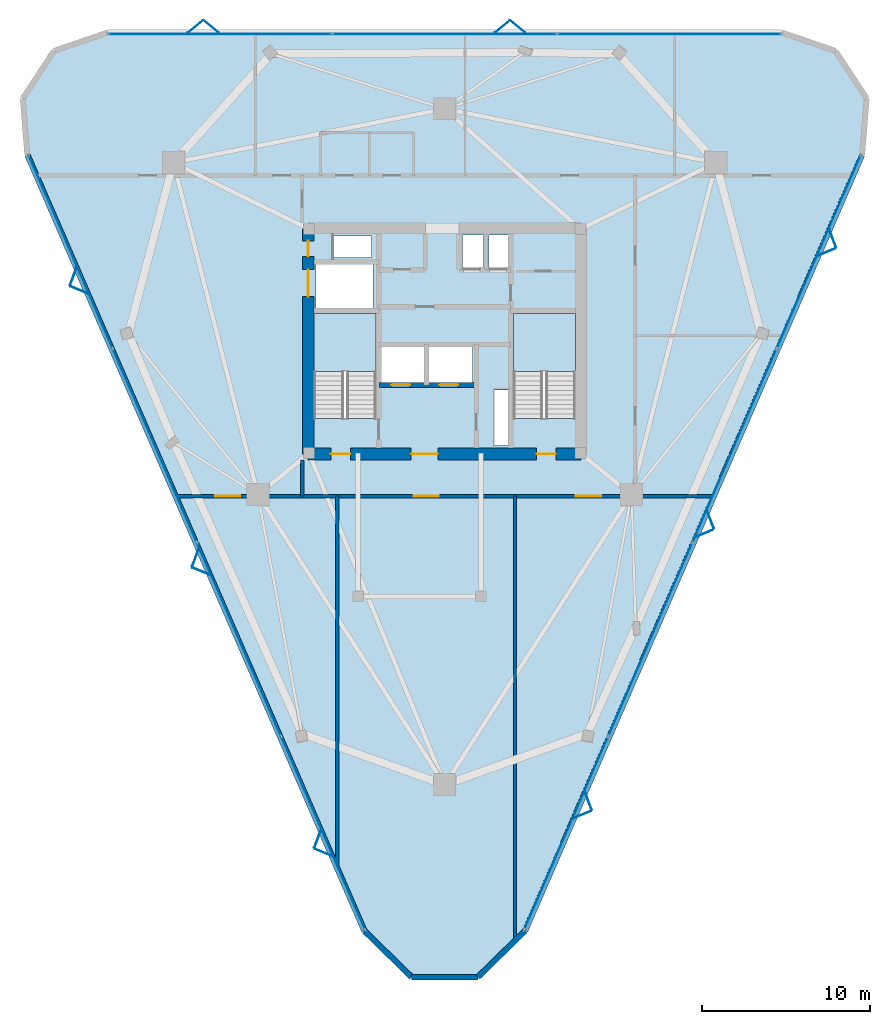
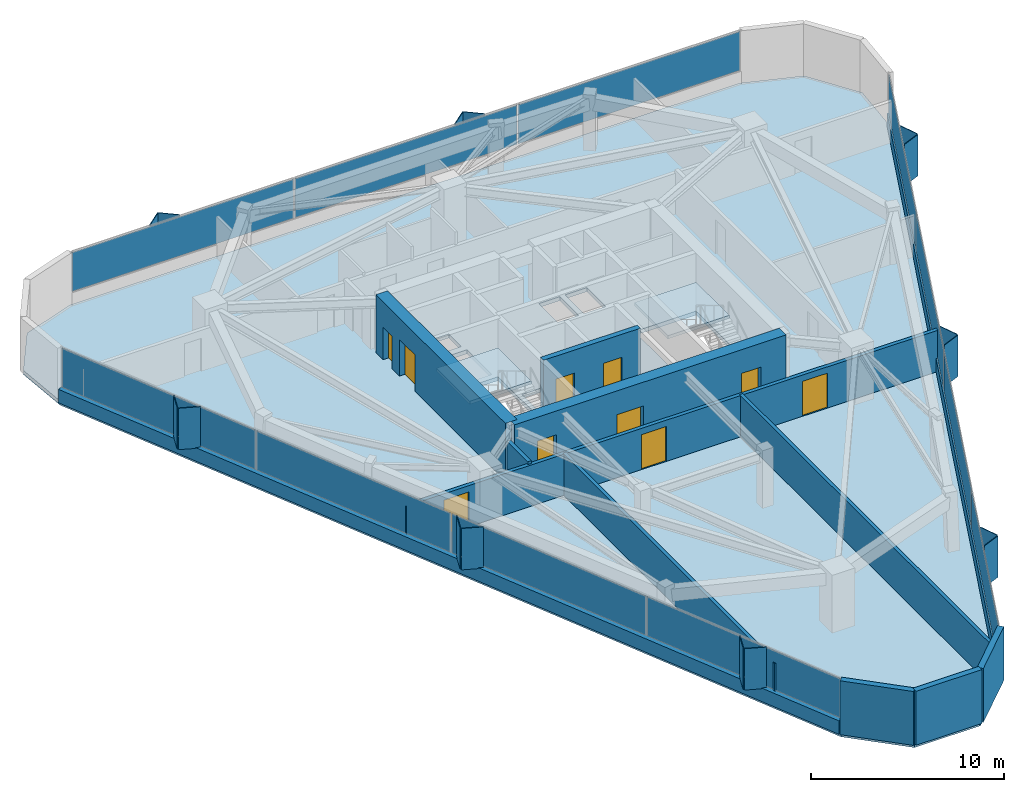
# One storey, part 9 of 12: 27 plates, 12 walls, 10 doors, 3 slabs, 10 openings, 5 elements without a shape of their own.
"""IFC4 building model written with IfcOpenShell, lengths in metres."""

from ifc_helpers import new_model, si_unit, direction, frame, frame_2d, origin, origin_2d, place, context, subcontext, project, spatial, polyline, rectangle, outline, extrude, material, layer, layer_set, type_object, element, fill, aggregate, save


model = new_model("IFC4")

# Units and contexts
model_context = context("Model", 3, precision=1e-05, world=origin(), true_north=direction((0.0, 1.0)))
body_context = subcontext(model_context, "Body", "Model", "MODEL_VIEW")
ifc_project = project(units=[si_unit("LENGTHUNIT", "METRE"), si_unit("AREAUNIT", "SQUARE_METRE"), si_unit("VOLUMEUNIT", "CUBIC_METRE"), si_unit("PLANEANGLEUNIT", "RADIAN"), si_unit("MASSUNIT", "GRAM", prefix="KILO")], contexts=[model_context])

# Site, building, storey
site_placement = place(None, origin())
site = spatial("IfcSite", under=ifc_project, at=site_placement, CompositionType="ELEMENT")
building_placement = place(site_placement, origin())
building = spatial("IfcBuilding", under=site, at=building_placement, Name="Talyreon Biosciences Tower", CompositionType="ELEMENT")
storey_placement = place(building_placement, frame((0.0, 0.0, 215.89990234375)))
storey = spatial("IfcBuildingStorey", under=building, at=storey_placement, Name="L57", CompositionType="ELEMENT", Elevation=215.89990234375)

# Curtain wall, plates
ifc_material_1 = material(Name="Thermally broken aluminium and low-E glazing", Category="aluminium")
ifc_layer_1 = layer(ifc_material_1, 0.179931640625)
ifc_layer_set_1 = layer_set([ifc_layer_1], Name="Thermally broken aluminium and low-E glazing")
curtain_wall_type = type_object("IfcCurtainWallType", Name="CurtainWall_Zone4Optical", PredefinedType="NOTDEFINED", material=ifc_layer_set_1)
curtain_wall_1_placement = place(storey_placement, origin())
curtain_wall_1 = element("IfcCurtainWall", 1, at=curtain_wall_1_placement, inside=storey, type_object=curtain_wall_type, Name="L57 Unitised Curtain Wall FCW-L57-00", PredefinedType="NOTDEFINED")
ifc_material_2 = material(Name="Triple-silver low-E insulated glazing", Category="glass")
ifc_layer_2 = layer(ifc_material_2, 0.031982421875)
ifc_layer_set_2 = layer_set([ifc_layer_2], Name="Triple-silver low-E insulated glazing")
plate_type_1 = type_object("IfcPlateType", Name="CWGlazingPanel_32", PredefinedType="CURTAIN_PANEL", material=ifc_layer_set_2)
plate_1_placement = place(storey_placement, frame((58.79736328125, 38.801513671875, 0.875), z_axis=(0.0, 0.0, 1.0), x_axis=(-0.398376473835, 0.917221993355, 0.0)))
plate_1 = element("IfcPlate", 2, at=plate_1_placement, type_object=plate_type_1, Name="CW5 panel 1.1", PredefinedType="CURTAIN_PANEL", context=body_context, shape_type="SweptSolid", body=[
    extrude(rectangle(XDim=12.453369140625, YDim=0.031982421875, at=origin_2d()), origin(), (0.0, 0.0, 1.0), 2.4599609375),
])
plate_2_placement = place(storey_placement, frame((53.8037109375, 50.298583984375, 0.875), z_axis=(0.0, 0.0, 1.0), x_axis=(-0.398376473835, 0.917221993355, 0.0)))
plate_2 = element("IfcPlate", 3, at=plate_2_placement, type_object=plate_type_1, Name="CW5 panel 2.1", PredefinedType="CURTAIN_PANEL", context=body_context, shape_type="SweptSolid", body=[
    extrude(rectangle(XDim=12.48583984375, YDim=0.031982421875, at=origin_2d()), origin(), (0.0, 0.0, 1.0), 2.4599609375),
])
plate_3_placement = place(storey_placement, frame((48.8037109375, 61.810791015625, 0.875), z_axis=(0.0, 0.0, 1.0), x_axis=(-0.398376473835, 0.917221993355, 0.0)))
plate_3 = element("IfcPlate", 4, at=plate_3_placement, type_object=plate_type_1, Name="CW5 panel 3.1", PredefinedType="CURTAIN_PANEL", context=body_context, shape_type="SweptSolid", body=[
    extrude(rectangle(XDim=12.48583984375, YDim=0.031982421875, at=origin_2d()), origin(), (0.0, 0.0, 1.0), 2.4599609375),
])
plate_4_placement = place(storey_placement, frame((43.810302734375, 73.307861328125, 0.875), z_axis=(0.0, 0.0, 1.0), x_axis=(-0.398376473835, 0.917221993355, 0.0)))
plate_4 = element("IfcPlate", 5, at=plate_4_placement, type_object=plate_type_1, Name="CW5 panel 4.1", PredefinedType="CURTAIN_PANEL", context=body_context, shape_type="SweptSolid", body=[
    extrude(rectangle(XDim=12.453369140625, YDim=0.031982421875, at=origin_2d()), origin(), (0.0, 0.0, 1.0), 2.4599609375),
])
aggregate(curtain_wall_1, [plate_1, plate_2, plate_3, plate_4])

curtain_wall_2_placement = place(storey_placement, origin())
curtain_wall_2 = element("IfcCurtainWall", 6, at=curtain_wall_2_placement, inside=storey, type_object=curtain_wall_type, Name="L57 Unitised Curtain Wall FCW-L57-04", PredefinedType="NOTDEFINED")
plate_5_placement = place(storey_placement, frame((52.682861328125, 86.23828125, 0.875), z_axis=(0.0, 0.0, 1.0), x_axis=(1.0, 0.0, 0.0)))
plate_5 = element("IfcPlate", 7, at=plate_5_placement, type_object=plate_type_1, Name="CW5 panel 1.1", PredefinedType="CURTAIN_PANEL", context=body_context, shape_type="SweptSolid", body=[
    extrude(rectangle(XDim=13.23583984375, YDim=0.031982421875, at=origin_2d()), origin(), (0.0, 0.0, 1.0), 2.4599609375),
])
plate_6_placement = place(storey_placement, frame((66.0, 86.23828125, 0.875), z_axis=(0.0, 0.0, 1.0), x_axis=(1.0, 0.0, 0.0)))
plate_6 = element("IfcPlate", 8, at=plate_6_placement, type_object=plate_type_1, Name="CW5 panel 2.1", PredefinedType="CURTAIN_PANEL", context=body_context, shape_type="SweptSolid", body=[
    extrude(rectangle(XDim=13.268310546875, YDim=0.031982421875, at=origin_2d()), origin(), (0.0, 0.0, 1.0), 2.4599609375),
])
plate_7_placement = place(storey_placement, frame((79.317138671875, 86.23828125, 0.875), z_axis=(0.0, 0.0, 1.0), x_axis=(1.0, 0.0, 0.0)))
plate_7 = element("IfcPlate", 9, at=plate_7_placement, type_object=plate_type_1, Name="CW5 panel 3.1", PredefinedType="CURTAIN_PANEL", context=body_context, shape_type="SweptSolid", body=[
    extrude(rectangle(XDim=13.23583984375, YDim=0.031982421875, at=origin_2d()), origin(), (0.0, 0.0, 1.0), 2.4599609375),
])
aggregate(curtain_wall_2, [plate_5, plate_6, plate_7])

curtain_wall_3_placement = place(storey_placement, origin())
curtain_wall_3 = element("IfcCurtainWall", 10, at=curtain_wall_3_placement, inside=storey, type_object=curtain_wall_type, Name="L57 Unitised Curtain Wall FCW-L57-08", PredefinedType="NOTDEFINED")
plate_8_placement = place(storey_placement, frame((88.189697265625, 73.307861328125, 0.875), z_axis=(0.0, 0.0, 1.0), x_axis=(-0.398376473835, -0.917221993355, 0.0)))
plate_8 = element("IfcPlate", 11, at=plate_8_placement, type_object=plate_type_1, Name="CW5 panel 1.1", PredefinedType="CURTAIN_PANEL", context=body_context, shape_type="SweptSolid", body=[
    extrude(rectangle(XDim=12.453369140625, YDim=0.031982421875, at=origin_2d()), origin(), (0.0, 0.0, 1.0), 2.4599609375),
])
plate_9_placement = place(storey_placement, frame((83.1962890625, 61.810791015625, 0.875), z_axis=(0.0, 0.0, 1.0), x_axis=(-0.398376473835, -0.917221993355, 0.0)))
plate_9 = element("IfcPlate", 12, at=plate_9_placement, type_object=plate_type_1, Name="CW5 panel 2.1", PredefinedType="CURTAIN_PANEL", context=body_context, shape_type="SweptSolid", body=[
    extrude(rectangle(XDim=12.48583984375, YDim=0.031982421875, at=origin_2d()), origin(), (0.0, 0.0, 1.0), 2.4599609375),
])
plate_10_placement = place(storey_placement, frame((78.1962890625, 50.298583984375, 0.875), z_axis=(0.0, 0.0, 1.0), x_axis=(-0.398376473835, -0.917221993355, 0.0)))
plate_10 = element("IfcPlate", 13, at=plate_10_placement, type_object=plate_type_1, Name="CW5 panel 3.1", PredefinedType="CURTAIN_PANEL", context=body_context, shape_type="SweptSolid", body=[
    extrude(rectangle(XDim=12.48583984375, YDim=0.031982421875, at=origin_2d()), origin(), (0.0, 0.0, 1.0), 2.4599609375),
])
plate_11_placement = place(storey_placement, frame((73.20263671875, 38.801513671875, 0.875), z_axis=(0.0, 0.0, 1.0), x_axis=(-0.398376473835, -0.917221993355, 0.0)))
plate_11 = element("IfcPlate", 14, at=plate_11_placement, type_object=plate_type_1, Name="CW5 panel 4.1", PredefinedType="CURTAIN_PANEL", context=body_context, shape_type="SweptSolid", body=[
    extrude(rectangle(XDim=12.453369140625, YDim=0.031982421875, at=origin_2d()), origin(), (0.0, 0.0, 1.0), 2.4599609375),
])
aggregate(curtain_wall_3, [plate_8, plate_9, plate_10, plate_11])

# Slab
ifc_material_3 = material(Name="Concrete C40/50", Category="concrete")
ifc_layer_3 = layer(ifc_material_3, 0.25)
ifc_layer_set_3 = layer_set([ifc_layer_3], Name="Concrete C40/50")
slab_type_1 = type_object("IfcSlabType", Name="DryLabFloorSlab_250", PredefinedType="FLOOR", material=ifc_layer_set_3)
slab_1_placement = place(storey_placement, frame((0.0, 0.0, -0.25)))
element("IfcSlab", 15, at=slab_1_placement, inside=storey, type_object=slab_type_1, Name="L57 Structural Floor Slab", PredefinedType="FLOOR", context=body_context, shape_type="SweptSolid", body=[
    extrude(outline(polyline([(61.23046875, 32.998779296875), (41.23046875, 79.046875), (40.962158203125, 82.406982421875), (42.81103515625, 85.225830078125), (46.0, 86.318359375), (86.0, 86.318359375), (89.18896484375, 85.225830078125), (91.037841796875, 82.406982421875), (90.76953125, 79.046875), (70.76953125, 32.998779296875), (67.962646484375, 30.2548828125), (64.037353515625, 30.2548828125), (61.23046875, 32.998779296875)]), holes=[polyline([(69.820068359375, 65.10009765625), (69.820068359375, 61.800048828125), (68.9599609375, 61.800048828125), (68.9599609375, 65.10009765625), (69.820068359375, 65.10009765625)]), polyline([(61.929931640625, 69.64990234375), (61.929931640625, 63.407958984375), (58.25, 63.407958984375), (58.25, 69.64990234375), (61.929931640625, 69.64990234375)]), polyline([(73.75, 69.64990234375), (73.75, 63.407958984375), (70.070068359375, 63.407958984375), (70.070068359375, 69.64990234375), (73.75, 69.64990234375)]), polyline([(64.800048828125, 67.64990234375), (64.800048828125, 65.550048828125), (62.199951171875, 65.550048828125), (62.199951171875, 67.64990234375), (64.800048828125, 67.64990234375)]), polyline([(67.64990234375, 67.64990234375), (67.64990234375, 65.550048828125), (65.050048828125, 65.550048828125), (65.050048828125, 67.64990234375), (67.64990234375, 67.64990234375)]), polyline([(61.75, 72.550048828125), (61.75, 69.97998046875), (58.35009765625, 69.97998046875), (58.35009765625, 72.550048828125), (61.75, 72.550048828125)]), polyline([(68.300048828125, 74.300048828125), (68.300048828125, 72.35009765625), (67.050048828125, 72.35009765625), (67.050048828125, 74.300048828125), (68.300048828125, 74.300048828125)]), polyline([(69.919921875, 72.35009765625), (68.6201171875, 72.35009765625), (68.6201171875, 74.300048828125), (69.919921875, 74.300048828125), (69.919921875, 72.35009765625)]), polyline([(61.64990234375, 72.9599609375), (59.39990234375, 72.9599609375), (59.39990234375, 74.25), (61.64990234375, 74.25), (61.64990234375, 72.9599609375)])]), origin(), (0.0, 0.0, 1.0), 0.25),
])

# Plates
ifc_material_4 = material(Name="Ivory GFRC sunshade panel", Category="concrete")
ifc_layer_4 = layer(ifc_material_4, 0.044921875)
ifc_layer_set_4 = layer_set([ifc_layer_4], Name="Ivory GFRC sunshade panel")
plate_type_2 = type_object("IfcPlateType", Name="FoldedVSunshade_NorthFace_SUNSHADE", PredefinedType="USERDEFINED", material=ifc_layer_set_4)
for number, where, z_axis, x_axis, name in (
    (16, (51.219970703125, 86.678466796875, 0.7900390625), (0.0, 0.0, 1.0), (0.771624583388, 0.636078220278, 0.0), "L57 Folded V-Sunshade Panel 04.01L"),
    (17, (52.1201171875, 86.678466796875, 0.7900390625), (0.0, 0.0, 1.0), (0.771624583388, -0.636078220278, 0.0), "L57 Folded V-Sunshade Panel 04.01R"),
    (18, (69.419921875, 86.678466796875, 0.7900390625), (0.0, 0.0, 1.0), (0.771624583388, 0.636078220278, 0.0), "L57 Folded V-Sunshade Panel 04.02L"),
    (19, (70.320068359375, 86.678466796875, 0.7900390625), (0.0, 0.0, 1.0), (0.771624583388, -0.636078220278, 0.0), "L57 Folded V-Sunshade Panel 04.02R"),
):
    element("IfcPlate", number, at=place(storey_placement, frame(where, z_axis=z_axis, x_axis=x_axis)), inside=storey, type_object=plate_type_2, Name=name, ObjectType="SUNSHADE", PredefinedType="USERDEFINED", context=body_context, shape_type="SweptSolid", body=[
        extrude(rectangle(XDim=1.14990234375, YDim=0.044921875, at=origin_2d()), origin(), (0.0, 0.0, 1.0), 2.610107421875),
    ])
ifc_layer_5 = layer(ifc_material_4, 0.044921875)
ifc_layer_set_5 = layer_set([ifc_layer_5], Name="Ivory GFRC sunshade panel")
plate_type_3 = type_object("IfcPlateType", Name="FoldedVSunshade_SunFace_SUNSHADE", PredefinedType="USERDEFINED", material=ifc_layer_set_5)
for number, where, z_axis, x_axis, name in (
    (20, (58.82080078125, 37.643310546875, 0.7900390625), (0.0, 0.0, 1.0), (-0.923725839102, 0.383054270536, 0.0), "L57 Folded V-Sunshade Panel 00.01L"),
    (21, (58.462158203125, 38.46875, 0.7900390625), (0.0, 0.0, 1.0), (0.350583357348, 0.93653153153, 0.0), "L57 Folded V-Sunshade Panel 00.01R"),
    (22, (51.5703125, 54.336669921875, 0.7900390625), (0.0, 0.0, 1.0), (-0.923725839102, 0.383054270536, 0.0), "L57 Folded V-Sunshade Panel 00.02L"),
    (23, (51.211669921875, 55.162109375, 0.7900390625), (0.0, 0.0, 1.0), (0.350583357348, 0.93653153153, 0.0), "L57 Folded V-Sunshade Panel 00.02R"),
    (24, (44.31982421875, 71.0302734375, 0.7900390625), (0.0, 0.0, 1.0), (-0.923725839102, 0.383054270536, 0.0), "L57 Folded V-Sunshade Panel 00.03L"),
    (25, (43.961181640625, 71.855712890625, 0.7900390625), (0.0, 0.0, 1.0), (0.350583357348, 0.93653153153, 0.0), "L57 Folded V-Sunshade Panel 00.03R"),
    (26, (89.020263671875, 74.115478515625, 0.7900390625), (0.0, 0.0, 1.0), (0.350583357348, -0.93653153153, 0.0), "L57 Folded V-Sunshade Panel 08.01L"),
    (27, (88.66162109375, 73.2900390625, 0.7900390625), (0.0, 0.0, 1.0), (-0.923725839102, -0.383054270536, 0.0), "L57 Folded V-Sunshade Panel 08.01R"),
    (28, (81.769775390625, 57.422119140625, 0.7900390625), (0.0, 0.0, 1.0), (0.350583357348, -0.93653153153, 0.0), "L57 Folded V-Sunshade Panel 08.02L"),
    (29, (81.411376953125, 56.596435546875, 0.7900390625), (0.0, 0.0, 1.0), (-0.923725839102, -0.383054270536, 0.0), "L57 Folded V-Sunshade Panel 08.02R"),
    (30, (74.519287109375, 40.728515625, 0.7900390625), (0.0, 0.0, 1.0), (0.350583357348, -0.93653153153, 0.0), "L57 Folded V-Sunshade Panel 08.03L"),
    (31, (74.160888671875, 39.903076171875, 0.7900390625), (0.0, 0.0, 1.0), (-0.923725839102, -0.383054270536, 0.0), "L57 Folded V-Sunshade Panel 08.03R"),
):
    element("IfcPlate", number, at=place(storey_placement, frame(where, z_axis=z_axis, x_axis=x_axis)), inside=storey, type_object=plate_type_3, Name=name, ObjectType="SUNSHADE", PredefinedType="USERDEFINED", context=body_context, shape_type="SweptSolid", body=[
        extrude(rectangle(XDim=1.14990234375, YDim=0.044921875, at=origin_2d()), origin(), (0.0, 0.0, 1.0), 2.610107421875),
    ])

# Stair, slab
stair_type = type_object("IfcStairType", Name="DoglegEscapeStair_3650", PredefinedType="HALF_TURN_STAIR", material=ifc_material_3)
stair_1_placement = place(storey_placement, origin())
stair_1 = element("IfcStair", 32, at=stair_1_placement, inside=storey, type_object=stair_type, Name="L57 Core Escape Stair 1", PredefinedType="HALF_TURN_STAIR")
ifc_layer_6 = layer(ifc_material_3, 0.199951171875)
ifc_layer_set_6 = layer_set([ifc_layer_6], Name="Concrete C40/50")
slab_type_2 = type_object("IfcSlabType", Name="StairLandingSlab_200", PredefinedType="LANDING", material=ifc_layer_set_6)
slab_2_placement = place(storey_placement, frame((0.0, 0.0, 1.625)))
slab_2 = element("IfcSlab", 33, at=slab_2_placement, type_object=slab_type_2, Name="ST-1 landing 1", PredefinedType="LANDING", context=body_context, shape_type="SweptSolid", body=[
    extrude(outline(polyline([(61.929931640625, 66.199951171875), (61.929931640625, 69.64990234375), (58.25, 69.64990234375), (58.25, 66.199951171875), (61.929931640625, 66.199951171875)])), origin(), (0.0, 0.0, 1.0), 0.2001953125),
])
aggregate(stair_1, [slab_2])

stair_2_placement = place(storey_placement, origin())
stair_2 = element("IfcStair", 34, at=stair_2_placement, inside=storey, type_object=stair_type, Name="L57 Core Escape Stair 2", PredefinedType="HALF_TURN_STAIR")
slab_3_placement = place(storey_placement, frame((0.0, 0.0, 1.625)))
slab_3 = element("IfcSlab", 35, at=slab_3_placement, type_object=slab_type_2, Name="ST-2 landing 1", PredefinedType="LANDING", context=body_context, shape_type="SweptSolid", body=[
    extrude(outline(polyline([(73.75, 66.199951171875), (73.75, 69.64990234375), (70.070068359375, 69.64990234375), (70.070068359375, 66.199951171875), (73.75, 66.199951171875)])), origin(), (0.0, 0.0, 1.0), 0.2001953125),
])
aggregate(stair_2, [slab_3])

# Walls
ifc_material_5 = material(Name="Gypsum fireboard acoustic stud", Category="gypsum")
ifc_layer_7 = layer(ifc_material_5, 0.199951171875)
ifc_layer_set_7 = layer_set([ifc_layer_7], Name="Gypsum fireboard acoustic stud")
wall_type_1 = type_object("IfcWallType", Name="ChemControlPartition_200", PredefinedType="PARTITIONING", material=ifc_layer_set_7)
wall_1_placement = place(storey_placement, frame((59.6259765625, 36.906005859375, 0.0), z_axis=(0.0, 0.0, 1.0), x_axis=(0.0, 1.0, 0.0)))
element("IfcWall", 36, at=wall_1_placement, inside=storey, type_object=wall_type_1, Name="L57 Interior Wall IW-L57-SDIV1", PredefinedType="PARTITIONING", context=body_context, shape_type="SweptSolid", body=[
    extrude(rectangle(XDim=21.89404296875, YDim=0.199951171875, at=frame_2d((10.947021484375, 0.0))), origin(), (0.0, 0.0, 1.0), 2.60009765625),
])
wall_2_placement = place(storey_placement, frame((70.174072265625, 32.535400390625, 0.0), z_axis=(0.0, 0.0, 1.0), x_axis=(0.0, 1.0, 0.0)))
element("IfcWall", 37, at=wall_2_placement, inside=storey, type_object=wall_type_1, Name="L57 Interior Wall IW-L57-SDIV2", PredefinedType="PARTITIONING", context=body_context, shape_type="SweptSolid", body=[
    extrude(rectangle(XDim=26.2646484375, YDim=0.199951171875, at=frame_2d((13.13232421875, 0.0))), origin(), (0.0, 0.0, 1.0), 2.60009765625),
])

# Wall, openings, doors
ifc_material_6 = material(Name="Concrete C50/60", Category="concrete")
ifc_layer_8 = layer(ifc_material_6, 0.320068359375)
ifc_layer_set_8 = layer_set([ifc_layer_8], Name="Concrete C50/60")
wall_type_2 = type_object("IfcWallType", Name="CoreShearWall_320", PredefinedType="SHEAR", material=ifc_layer_set_8)
wall_3_placement = place(storey_placement, frame((62.090087890625, 65.39990234375, 0.0), z_axis=(0.0, 0.0, 1.0), x_axis=(1.0, 0.0, 0.0)))
wall_3 = element("IfcWall", 38, at=wall_3_placement, inside=storey, type_object=wall_type_2, Name="L57 Core Shaft Wall SWFFN", PredefinedType="SHEAR", context=body_context, shape_type="SweptSolid", body=[
    extrude(rectangle(XDim=5.789794921875, YDim=0.320068359375, at=frame_2d((2.89501953125, 0.0))), origin(), (0.0, 0.0, 1.0), 3.650146484375),
])
opening_1_placement = place(wall_3_placement, frame((0.75, 0.0, 0.0)))
opening_1 = element("IfcOpeningElement", 39, at=opening_1_placement, cuts=wall_3, Name="Opening LD-L57-FL1", PredefinedType="OPENING", context=body_context, shape_type="SweptSolid", body=[
    extrude(rectangle(XDim=1.10009765625, YDim=2.199951171875, at=frame_2d((0.550048828125, 1.10009765625))), frame((0.0, 0.169921875, 0.0), z_axis=(0.0, -1.0, 0.0), x_axis=(1.0, 0.0, 0.0)), (0.0, 0.0, 1.0), 0.340087890625),
])
opening_2_placement = place(wall_3_placement, frame((3.60009765625, 0.0, 0.0)))
opening_2 = element("IfcOpeningElement", 40, at=opening_2_placement, cuts=wall_3, Name="Opening LD-L57-FL2", PredefinedType="OPENING", context=body_context, shape_type="SweptSolid", body=[
    extrude(rectangle(XDim=1.10009765625, YDim=2.199951171875, at=frame_2d((0.550048828125, 1.10009765625))), frame((0.0, 0.169921875, 0.0), z_axis=(0.0, -1.0, 0.0), x_axis=(1.0, 0.0, 0.0)), (0.0, 0.0, 1.0), 0.340087890625),
])
ifc_material_7 = material(Name="Brushed stainless-steel lift landing door", Category="steel")
door_type_1 = type_object("IfcDoorType", Name="LiftSlidingLandingDoor_1100x2200", OperationType="SLIDING_TO_LEFT", PredefinedType="DOOR", material=ifc_material_7)
door_1_placement = place(opening_1_placement, origin())
door_1 = element("IfcDoor", 41, at=door_1_placement, inside=storey, type_object=door_type_1, Name="L57 Core Door LD-L57-FL1", OperationType="SLIDING_TO_LEFT", OverallHeight=2.199951171875, OverallWidth=1.10009765625, PredefinedType="DOOR", context=body_context, shape_type="SweptSolid", body=[
    extrude(rectangle(XDim=1.10009765625, YDim=2.199951171875, at=frame_2d((0.550048828125, 1.10009765625))), frame((0.0, 0.02490234375, 0.0), z_axis=(0.0, -1.0, 0.0), x_axis=(1.0, 0.0, 0.0)), (0.0, 0.0, 1.0), 0.050048828125),
])
fill(opening_1, door_1)
door_2_placement = place(opening_2_placement, origin())
door_2 = element("IfcDoor", 42, at=door_2_placement, inside=storey, type_object=door_type_1, Name="L57 Core Door LD-L57-FL2", OperationType="SLIDING_TO_LEFT", OverallHeight=2.199951171875, OverallWidth=1.10009765625, PredefinedType="DOOR", context=body_context, shape_type="SweptSolid", body=[
    extrude(rectangle(XDim=1.10009765625, YDim=2.199951171875, at=frame_2d((0.550048828125, 1.10009765625))), frame((0.0, 0.02490234375, 0.0), z_axis=(0.0, -1.0, 0.0), x_axis=(1.0, 0.0, 0.0)), (0.0, 0.0, 1.0), 0.050048828125),
])
fill(opening_2, door_2)

ifc_layer_9 = layer(ifc_material_6, 0.699951171875)
ifc_layer_set_9 = layer_set([ifc_layer_9], Name="Concrete C50/60")
wall_type_3 = type_object("IfcWallType", Name="CoreShearWall_700", PredefinedType="SHEAR", material=ifc_layer_set_9)
wall_4_placement = place(storey_placement, frame((57.89990234375, 61.300048828125, 0.0), z_axis=(0.0, 0.0, 1.0), x_axis=(1.0, 0.0, 0.0)))
wall_4 = element("IfcWall", 43, at=wall_4_placement, inside=storey, type_object=wall_type_3, Name="L57 Core Shear Wall S", PredefinedType="SHEAR", context=body_context, shape_type="SweptSolid", body=[
    extrude(rectangle(XDim=16.2001953125, YDim=0.699951171875, at=frame_2d((8.10009765625, 0.0))), origin(), (0.0, 0.0, 1.0), 3.650146484375),
])
opening_3_placement = place(wall_4_placement, frame((1.35009765625, 0.0, 0.0)))
opening_3 = element("IfcOpeningElement", 44, at=opening_3_placement, cuts=wall_4, Name="Opening DR-L57-ST1", PredefinedType="OPENING", context=body_context, shape_type="SweptSolid", body=[
    extrude(rectangle(XDim=1.14990234375, YDim=2.14990234375, at=frame_2d((0.574951171875, 1.074951171875))), frame((0.0, 0.35986328125, 0.0), z_axis=(0.0, -1.0, 0.0), x_axis=(1.0, 0.0, 0.0)), (0.0, 0.0, 1.0), 0.719970703125),
])
opening_4_placement = place(wall_4_placement, frame((6.10009765625, 0.0, 0.0)))
opening_4 = element("IfcOpeningElement", 45, at=opening_4_placement, cuts=wall_4, Name="Opening DR-L57-FFL", PredefinedType="OPENING", context=body_context, shape_type="SweptSolid", body=[
    extrude(rectangle(XDim=1.60009765625, YDim=2.14990234375, at=frame_2d((0.800048828125, 1.074951171875))), frame((0.0, 0.35986328125, 0.0), z_axis=(0.0, -1.0, 0.0), x_axis=(1.0, 0.0, 0.0)), (0.0, 0.0, 1.0), 0.719970703125),
])
opening_5_placement = place(wall_4_placement, frame((13.550048828125, 0.0, 0.0)))
opening_5 = element("IfcOpeningElement", 46, at=opening_5_placement, cuts=wall_4, Name="Opening DR-L57-ST2", PredefinedType="OPENING", context=body_context, shape_type="SweptSolid", body=[
    extrude(rectangle(XDim=1.14990234375, YDim=2.14990234375, at=frame_2d((0.574951171875, 1.074951171875))), frame((0.0, 0.35986328125, 0.0), z_axis=(0.0, -1.0, 0.0), x_axis=(1.0, 0.0, 0.0)), (0.0, 0.0, 1.0), 0.719970703125),
])
ifc_material_8 = material(Name="Painted steel smoke-seal fire door", Category="steel")
door_type_2 = type_object("IfcDoorType", Name="FirefightingLobbyDoubleDoor_1600x2150", OperationType="DOUBLE_DOOR_SINGLE_SWING", PredefinedType="DOOR", material=ifc_material_8)
door_3_placement = place(opening_4_placement, origin())
door_3 = element("IfcDoor", 47, at=door_3_placement, inside=storey, type_object=door_type_2, Name="L57 Core Door DR-L57-FFL", OperationType="DOUBLE_DOOR_SINGLE_SWING", OverallHeight=2.14990234375, OverallWidth=1.60009765625, PredefinedType="DOOR", context=body_context, shape_type="SweptSolid", body=[
    extrude(rectangle(XDim=1.60009765625, YDim=2.14990234375, at=frame_2d((0.800048828125, 1.074951171875))), frame((0.0, 0.02490234375, 0.0), z_axis=(0.0, -1.0, 0.0), x_axis=(1.0, 0.0, 0.0)), (0.0, 0.0, 1.0), 0.050048828125),
])
fill(opening_4, door_3)
ifc_material_9 = material(Name="Painted steel fire door", Category="steel")
door_type_3 = type_object("IfcDoorType", Name="StairShaftFireDoor_1150x2150", OperationType="NOTDEFINED", PredefinedType="DOOR", material=ifc_material_9)
door_4_placement = place(opening_3_placement, origin())
door_4 = element("IfcDoor", 48, at=door_4_placement, inside=storey, type_object=door_type_3, Name="L57 Core Door DR-L57-ST1", OperationType="SINGLE_SWING_LEFT", OverallHeight=2.14990234375, OverallWidth=1.14990234375, PredefinedType="DOOR", context=body_context, shape_type="SweptSolid", body=[
    extrude(rectangle(XDim=1.14990234375, YDim=2.14990234375, at=frame_2d((0.574951171875, 1.074951171875))), frame((0.0, 0.02490234375, 0.0), z_axis=(0.0, -1.0, 0.0), x_axis=(1.0, 0.0, 0.0)), (0.0, 0.0, 1.0), 0.050048828125),
])
fill(opening_3, door_4)
door_5_placement = place(opening_5_placement, origin())
door_5 = element("IfcDoor", 49, at=door_5_placement, inside=storey, type_object=door_type_3, Name="L57 Core Door DR-L57-ST2", OperationType="SINGLE_SWING_RIGHT", OverallHeight=2.14990234375, OverallWidth=1.14990234375, PredefinedType="DOOR", context=body_context, shape_type="SweptSolid", body=[
    extrude(rectangle(XDim=1.14990234375, YDim=2.14990234375, at=frame_2d((0.574951171875, 1.074951171875))), frame((0.0, 0.02490234375, 0.0), z_axis=(0.0, -1.0, 0.0), x_axis=(1.0, 0.0, 0.0)), (0.0, 0.0, 1.0), 0.050048828125),
])
fill(opening_5, door_5)

wall_5_placement = place(storey_placement, frame((57.89990234375, 74.699951171875, 0.0), z_axis=(0.0, 0.0, 1.0), x_axis=(0.0, -1.0, 0.0)))
wall_5 = element("IfcWall", 50, at=wall_5_placement, inside=storey, type_object=wall_type_3, Name="L57 Core Shear Wall W", PredefinedType="SHEAR", context=body_context, shape_type="SweptSolid", body=[
    extrude(rectangle(XDim=13.39990234375, YDim=0.699951171875, at=frame_2d((6.699951171875, 0.0))), origin(), (0.0, 0.0, 1.0), 3.650146484375),
])
opening_6_placement = place(wall_5_placement, frame((0.75, 0.0, 0.0)))
opening_6 = element("IfcOpeningElement", 51, at=opening_6_placement, cuts=wall_5, Name="Opening DR-L57-RSW", PredefinedType="OPENING", context=body_context, shape_type="SweptSolid", body=[
    extrude(rectangle(XDim=0.919921875, YDim=2.050048828125, at=frame_2d((0.4599609375, 1.02490234375))), frame((0.0, 0.35986328125, 0.0), z_axis=(0.0, -1.0, 0.0), x_axis=(1.0, 0.0, 0.0)), (0.0, 0.0, 1.0), 0.719970703125),
])
opening_7_placement = place(wall_5_placement, frame((2.449951171875, 0.0, 0.0)))
opening_7 = element("IfcOpeningElement", 52, at=opening_7_placement, cuts=wall_5, Name="Opening LD-L57-GL1", PredefinedType="OPENING", context=body_context, shape_type="SweptSolid", body=[
    extrude(rectangle(XDim=1.60009765625, YDim=2.300048828125, at=frame_2d((0.800048828125, 1.14990234375))), frame((0.0, 0.35986328125, 0.0), z_axis=(0.0, -1.0, 0.0), x_axis=(1.0, 0.0, 0.0)), (0.0, 0.0, 1.0), 0.719970703125),
])
ifc_material_10 = material(Name="Heavy-duty stainless-steel goods lift door", Category="steel")
door_type_4 = type_object("IfcDoorType", Name="GoodsLiftSlidingDoor_1600x2300", OperationType="DOUBLE_DOOR_SLIDING", PredefinedType="DOOR", material=ifc_material_10)
door_6_placement = place(opening_7_placement, origin())
door_6 = element("IfcDoor", 53, at=door_6_placement, inside=storey, type_object=door_type_4, Name="L57 Core Door LD-L57-GL1", OperationType="DOUBLE_DOOR_SLIDING", OverallHeight=2.300048828125, OverallWidth=1.60009765625, PredefinedType="DOOR", context=body_context, shape_type="SweptSolid", body=[
    extrude(rectangle(XDim=1.60009765625, YDim=2.300048828125, at=frame_2d((0.800048828125, 1.14990234375))), frame((0.0, 0.02490234375, 0.0), z_axis=(0.0, -1.0, 0.0), x_axis=(1.0, 0.0, 0.0)), (0.0, 0.0, 1.0), 0.050048828125),
])
fill(opening_7, door_6)
ifc_material_11 = material(Name="Painted steel fire-rated riser door", Category="steel")
door_type_5 = type_object("IfcDoorType", Name="RiserPlantAccessDoor_920x2050", OperationType="NOTDEFINED", PredefinedType="DOOR", material=ifc_material_11)
door_7_placement = place(opening_6_placement, origin())
door_7 = element("IfcDoor", 54, at=door_7_placement, inside=storey, type_object=door_type_5, Name="L57 Core Door DR-L57-RSW", OperationType="SINGLE_SWING_LEFT", OverallHeight=2.050048828125, OverallWidth=0.919921875, PredefinedType="DOOR", context=body_context, shape_type="SweptSolid", body=[
    extrude(rectangle(XDim=0.919921875, YDim=2.050048828125, at=frame_2d((0.4599609375, 1.02490234375))), frame((0.0, 0.02490234375, 0.0), z_axis=(0.0, -1.0, 0.0), x_axis=(1.0, 0.0, 0.0)), (0.0, 0.0, 1.0), 0.050048828125),
])
fill(opening_6, door_7)

ifc_layer_10 = layer(ifc_material_5, 0.219970703125)
ifc_layer_set_10 = layer_set([ifc_layer_10], Name="Gypsum fireboard acoustic stud")
wall_type_4 = type_object("IfcWallType", Name="CorridorRatedPartition_220", PredefinedType="PARTITIONING", material=ifc_layer_set_10)
wall_6_placement = place(storey_placement, frame((50.116943359375, 58.800048828125, 0.0), z_axis=(0.0, 0.0, 1.0), x_axis=(1.0, 0.0, 0.0)))
wall_6 = element("IfcWall", 55, at=wall_6_placement, inside=storey, type_object=wall_type_4, Name="L57 Interior Wall IW-L57-COR-S", PredefinedType="PARTITIONING", context=body_context, shape_type="SweptSolid", body=[
    extrude(rectangle(XDim=31.76611328125, YDim=0.219970703125, at=frame_2d((15.883056640625, 0.0))), origin(), (0.0, 0.0, 1.0), 2.60009765625),
])
opening_8_placement = place(wall_6_placement, frame((2.25, 0.0, 0.0)))
opening_8 = element("IfcOpeningElement", 56, at=opening_8_placement, cuts=wall_6, Name="Opening DR-L57-S1A", PredefinedType="OPENING", context=body_context, shape_type="SweptSolid", body=[
    extrude(rectangle(XDim=1.5, YDim=2.199951171875, at=frame_2d((0.75, 1.10009765625))), frame((0.0, 0.119873046875, 0.0), z_axis=(0.0, -1.0, 0.0), x_axis=(1.0, 0.0, 0.0)), (0.0, 0.0, 1.0), 0.239990234375),
])
opening_9_placement = place(wall_6_placement, frame((14.032958984375, 0.0, 0.0)))
opening_9 = element("IfcOpeningElement", 57, at=opening_9_placement, cuts=wall_6, Name="Opening DR-L57-S2A", PredefinedType="OPENING", context=body_context, shape_type="SweptSolid", body=[
    extrude(rectangle(XDim=1.5, YDim=2.199951171875, at=frame_2d((0.75, 1.10009765625))), frame((0.0, 0.119873046875, 0.0), z_axis=(0.0, -1.0, 0.0), x_axis=(1.0, 0.0, 0.0)), (0.0, 0.0, 1.0), 0.239990234375),
])
opening_10_placement = place(wall_6_placement, frame((23.658935546875, 0.0, 0.0)))
opening_10 = element("IfcOpeningElement", 58, at=opening_10_placement, cuts=wall_6, Name="Opening DR-L57-S3A", PredefinedType="OPENING", context=body_context, shape_type="SweptSolid", body=[
    extrude(rectangle(XDim=1.5, YDim=2.199951171875, at=frame_2d((0.75, 1.10009765625))), frame((0.0, 0.119873046875, 0.0), z_axis=(0.0, -1.0, 0.0), x_axis=(1.0, 0.0, 0.0)), (0.0, 0.0, 1.0), 0.239990234375),
])
ifc_material_12 = material(Name="Vision-panel steel laboratory fire door", Category="steel")
door_type_6 = type_object("IfcDoorType", Name="WetLabDoubleLeafDoor_1500x2200", OperationType="DOUBLE_DOOR_SINGLE_SWING", PredefinedType="DOOR", material=ifc_material_12)
door_8_placement = place(opening_8_placement, origin())
door_8 = element("IfcDoor", 59, at=door_8_placement, inside=storey, type_object=door_type_6, Name="L57 Interior Door DR-L57-S1A", OperationType="DOUBLE_DOOR_SINGLE_SWING", OverallHeight=2.199951171875, OverallWidth=1.5, PredefinedType="DOOR", context=body_context, shape_type="SweptSolid", body=[
    extrude(rectangle(XDim=1.5, YDim=2.199951171875, at=frame_2d((0.75, 1.10009765625))), frame((0.0, 0.02490234375, 0.0), z_axis=(0.0, -1.0, 0.0), x_axis=(1.0, 0.0, 0.0)), (0.0, 0.0, 1.0), 0.050048828125),
])
fill(opening_8, door_8)
door_9_placement = place(opening_9_placement, origin())
door_9 = element("IfcDoor", 60, at=door_9_placement, inside=storey, type_object=door_type_6, Name="L57 Interior Door DR-L57-S2A", OperationType="DOUBLE_DOOR_SINGLE_SWING", OverallHeight=2.199951171875, OverallWidth=1.5, PredefinedType="DOOR", context=body_context, shape_type="SweptSolid", body=[
    extrude(rectangle(XDim=1.5, YDim=2.199951171875, at=frame_2d((0.75, 1.10009765625))), frame((0.0, 0.02490234375, 0.0), z_axis=(0.0, -1.0, 0.0), x_axis=(1.0, 0.0, 0.0)), (0.0, 0.0, 1.0), 0.050048828125),
])
fill(opening_9, door_9)
door_10_placement = place(opening_10_placement, origin())
door_10 = element("IfcDoor", 61, at=door_10_placement, inside=storey, type_object=door_type_6, Name="L57 Interior Door DR-L57-S3A", OperationType="DOUBLE_DOOR_SINGLE_SWING", OverallHeight=2.199951171875, OverallWidth=1.5, PredefinedType="DOOR", context=body_context, shape_type="SweptSolid", body=[
    extrude(rectangle(XDim=1.5, YDim=2.199951171875, at=frame_2d((0.75, 1.10009765625))), frame((0.0, 0.02490234375, 0.0), z_axis=(0.0, -1.0, 0.0), x_axis=(1.0, 0.0, 0.0)), (0.0, 0.0, 1.0), 0.050048828125),
])
fill(opening_10, door_10)

# Walls
wall_7_placement = place(storey_placement, frame((57.550048828125, 58.800048828125, 0.0), z_axis=(0.0, 0.0, 1.0), x_axis=(0.0, 1.0, 0.0)))
element("IfcWall", 62, at=wall_7_placement, inside=storey, type_object=wall_type_4, Name="L57 Interior Wall IW-L57-WCAP-S", PredefinedType="PARTITIONING", context=body_context, shape_type="SweptSolid", body=[
    extrude(rectangle(XDim=2.14990234375, YDim=0.219970703125, at=frame_2d((1.074951171875, 0.0))), origin(), (0.0, 0.0, 1.0), 2.780029296875),
])
ifc_material_13 = material(Name="Precast concrete C45/55", Category="concrete")
ifc_layer_11 = layer(ifc_material_13, 0.340087890625)
ifc_layer_set_11 = layer_set([ifc_layer_11], Name="Precast concrete C45/55")
wall_type_5 = type_object("IfcWallType", Name="PrecastConcreteSpandrelWall_340", PredefinedType="STANDARD", material=ifc_layer_set_11)
for number, where, z_axis, x_axis, name in (
    (63, (61.23046875, 32.998779296875, 0.0), (0.0, 0.0, 1.0), (-0.398375777276, 0.917222295891, 0.0), "L57 Expressed Concrete Sill Wall 00"),
    (64, (90.76953125, 79.046875, 0.0), (0.0, 0.0, 1.0), (-0.398375777276, -0.917222295891, 0.0), "L57 Expressed Concrete Sill Wall 08"),
):
    element("IfcWall", number, at=place(storey_placement, frame(where, z_axis=z_axis, x_axis=x_axis)), inside=storey, type_object=wall_type_5, Name=name, PredefinedType="STANDARD", context=body_context, shape_type="SweptSolid", body=[
        extrude(rectangle(XDim=50.203857421875, YDim=0.340087890625, at=frame_2d((25.10205078125, 0.0))), origin(), (0.0, 0.0, 1.0), 0.85009765625),
    ])
for number, where, z_axis, x_axis, name in (
    (65, (70.76953125, 32.998779296875, 0.0), (0.0, 0.0, 1.0), (-0.715084737265, -0.699037780475, 0.0), "L57 Rounded-Corner Concrete Pier 09"),
    (66, (67.962646484375, 30.2548828125, 0.0), (0.0, 0.0, 1.0), (-1.0, 0.0, 0.0), "L57 Rounded-Corner Concrete Pier 10"),
    (67, (64.037353515625, 30.2548828125, 0.0), (0.0, 0.0, 1.0), (-0.715084737265, 0.699037780475, 0.0), "L57 Rounded-Corner Concrete Pier 11"),
):
    element("IfcWall", number, at=place(storey_placement, frame(where, z_axis=z_axis, x_axis=x_axis)), inside=storey, type_object=wall_type_5, Name=name, PredefinedType="STANDARD", context=body_context, shape_type="SweptSolid", body=[
        extrude(rectangle(XDim=3.92529296875, YDim=0.340087890625, at=frame_2d((1.962646484375, 0.0))), origin(), (0.0, 0.0, 1.0), 3.400146484375),
    ])

save(model, "model.ifc")
